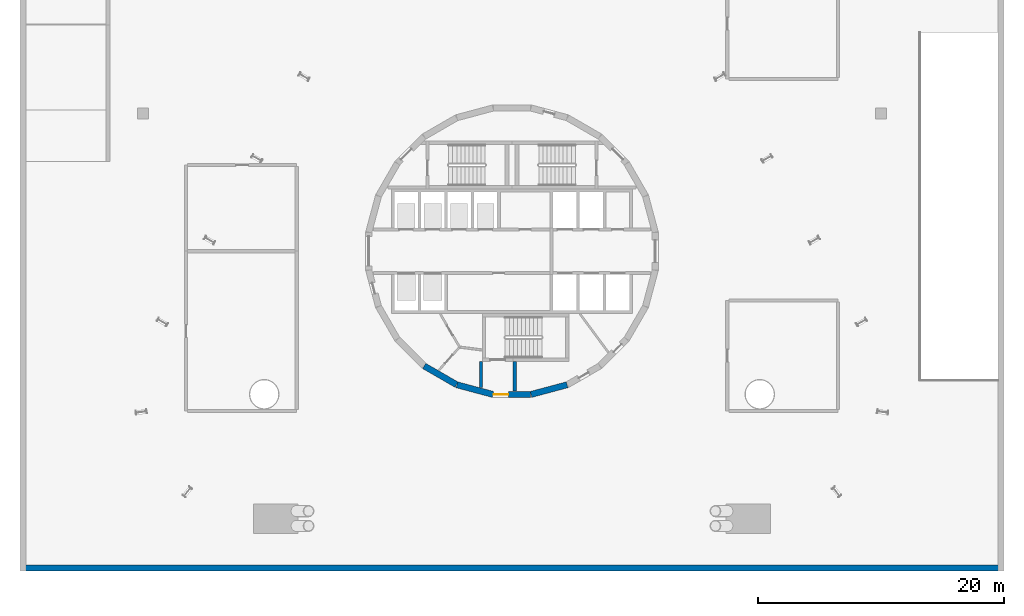
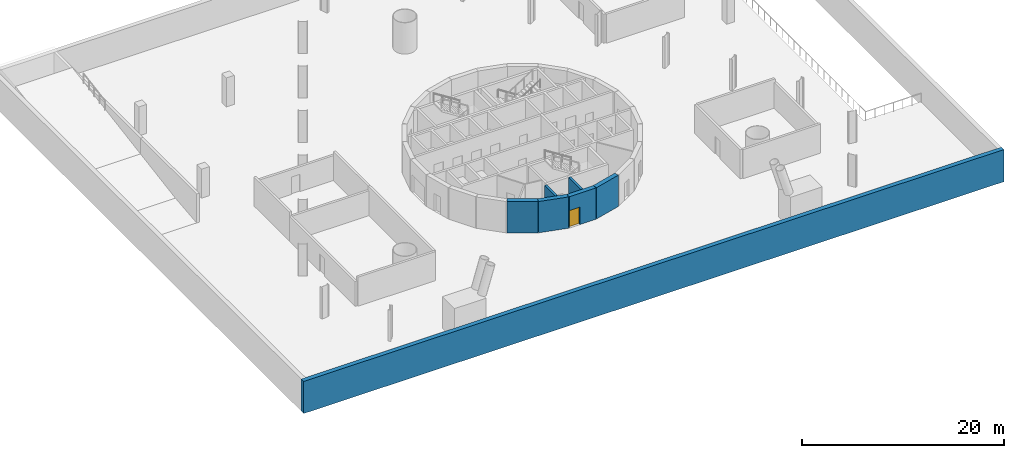
# One storey, part 5 of 10: 7 walls, 1 door, 1 opening.
"""IFC4 building model written with IfcOpenShell, lengths in metres."""

import ifcopenshell
import ifcopenshell.guid

model = None  # the IFC model being written
_history = None  # IfcOwnerHistory: only IFC2X3 demands one
_inside = {}  # id of a spatial element -> (the spatial element, [elements in it])
_under = {}  # id of a project, library or spatial element -> (it, [spatial elements below it])
_declared = {}  # id of a project -> (the project, [libraries it declares])
_typed = {}  # id of a type object -> (the type object, [elements of that type])
_made_of = {}  # id of a material, layer set ... -> (it, [elements and type objects made of it])


def new_model(schema):
    """Start an empty IFC model of exactly this schema.

    Asked for "IFC4X3", IfcOpenShell would pick the latest addendum, in which some entities
    have other attributes; the version numbers below select the first issue.
    IFC2X3 requires an IfcOwnerHistory on every rooted entity: one is made here for all.
    """
    global model, _history
    if schema == "IFC4X3":
        model = ifcopenshell.file(schema_version=(4, 3, 0, 0))
    else:
        model = ifcopenshell.file(schema=schema)
    _inside.clear()
    _under.clear()
    _declared.clear()
    _typed.clear()
    _made_of.clear()
    _history = None
    if model.schema == "IFC2X3":
        org = make("IfcOrganization", Name="unknown")
        user = make(
            "IfcPersonAndOrganization",
            ThePerson=make("IfcPerson", FamilyName="unknown"),
            TheOrganization=org,
        )
        app = make(
            "IfcApplication",
            ApplicationDeveloper=org,
            Version="unknown",
            ApplicationFullName="unknown",
            ApplicationIdentifier="unknown",
        )
        _history = make(
            "IfcOwnerHistory",
            OwningUser=user,
            OwningApplication=app,
            ChangeAction="ADDED",
            CreationDate=0,
        )
    return model


def make(cls, **values):
    """One entity of the class cls with the attributes given. An attribute that is None is left unset."""
    return model.create_entity(
        cls, **{name: value for name, value in values.items() if value is not None}
    )


def rooted(cls, **values):
    """An entity with a GlobalId (a new one), such as an element, a storey or a relation."""
    return make(cls, GlobalId=ifcopenshell.guid.new(), OwnerHistory=_history, **values)


def si_unit(unit_type, name, prefix=None):
    """IfcSIUnit, for example si_unit("LENGTHUNIT", "METRE", prefix="MILLI")."""
    return make("IfcSIUnit", UnitType=unit_type, Prefix=prefix, Name=name)


def assignment(units):
    """IfcUnitAssignment: the units of a project."""
    return None if units is None else make("IfcUnitAssignment", Units=units)


def point(xyz):
    """IfcCartesianPoint."""
    return None if xyz is None else make("IfcCartesianPoint", Coordinates=xyz)


def direction(xyz):
    """IfcDirection."""
    return None if xyz is None else make("IfcDirection", DirectionRatios=xyz)


def frame(location, z_axis=None, x_axis=None):
    """IfcAxis2Placement3D, a coordinate frame: its origin and axes. An axis left out is left unset."""
    return make(
        "IfcAxis2Placement3D",
        Location=point(location),
        Axis=direction(z_axis),
        RefDirection=direction(x_axis),
    )


def frame_2d(location, x_axis=None):
    """IfcAxis2Placement2D, a coordinate frame in the plane: its origin and x axis."""
    return make(
        "IfcAxis2Placement2D", Location=point(location), RefDirection=direction(x_axis)
    )


def origin():
    """The frame at (0, 0, 0) with its axes left unset."""
    return frame((0.0, 0.0, 0.0))


def place(relative_to, where):
    """IfcLocalPlacement: puts the frame where relative to a parent placement (None: the world)."""
    return make(
        "IfcLocalPlacement", PlacementRelTo=relative_to, RelativePlacement=where
    )


def context(
    kind, dimensions, precision=None, world=None, true_north=None, identifier=None
):
    """IfcGeometricRepresentationContext, for example the 3D "Model" context."""
    return make(
        "IfcGeometricRepresentationContext",
        ContextIdentifier=identifier,
        ContextType=kind,
        CoordinateSpaceDimension=dimensions,
        Precision=precision,
        WorldCoordinateSystem=world,
        TrueNorth=true_north,
    )


def subcontext(parent, identifier, kind, view, scale=None):
    """IfcGeometricRepresentationSubContext, for example "Body" below "Model"."""
    return make(
        "IfcGeometricRepresentationSubContext",
        ContextIdentifier=identifier,
        ContextType=kind,
        ParentContext=parent,
        TargetScale=scale,
        TargetView=view,
    )


def project(units=None, contexts=None):
    """IfcProject with its units and contexts."""
    return rooted(
        "IfcProject",
        Name="project",
        RepresentationContexts=contexts,
        UnitsInContext=assignment(units),
    )


def spatial(cls, under=None, at=None, **own):
    """A site, building, storey or space (cls), placed at a placement, below another one or the project."""
    s = rooted(cls, ObjectPlacement=at, **own)
    if under is not None:
        _under.setdefault(under.id(), (under, []))[1].append(s)
    return s


def profile(cls, at=None, kind="AREA", **sizes):
    """A parametric profile (cls). Its sizes go by their IFC names, for example OverallWidth=200.0."""
    return make(cls, ProfileType=kind, Position=at, **sizes)


def rectangle(**sizes):
    """IfcRectangleProfileDef."""
    return profile("IfcRectangleProfileDef", **sizes)


def extrude(swept, where, along, depth):
    """IfcExtrudedAreaSolid: the profile swept, set in the frame where, extruded along a direction by depth."""
    return make(
        "IfcExtrudedAreaSolid",
        SweptArea=swept,
        Position=where,
        ExtrudedDirection=direction(along),
        Depth=depth,
    )


def shape(context_of_items, identifier, shape_type, items):
    """IfcShapeRepresentation: the items that make up one representation, for example the "Body"."""
    return make(
        "IfcShapeRepresentation",
        ContextOfItems=context_of_items,
        RepresentationIdentifier=identifier,
        RepresentationType=shape_type,
        Items=items,
    )


def material(Name=None, Category=None):
    """IfcMaterial."""
    return make("IfcMaterial", Name=Name, Category=Category)


def layer(
    of_material, thickness, ventilated=None, Name=None, Category=None, Priority=None
):
    """IfcMaterialLayer: one layer of a wall or slab, of a material (None: an air gap)."""
    return make(
        "IfcMaterialLayer",
        Material=of_material,
        LayerThickness=thickness,
        IsVentilated=ventilated,
        Name=Name,
        Category=Category,
        Priority=Priority,
    )


def layer_set(layers, Name=None):
    """IfcMaterialLayerSet."""
    return make("IfcMaterialLayerSet", MaterialLayers=layers, LayerSetName=Name)


def made_of(thing, what):
    """Note that an element or type object is made of a material, layer set ...; save() writes the relation."""
    if what is not None:
        _made_of.setdefault(what.id(), (what, []))[1].append(thing)
    return thing


def type_object(cls, material=None, **own):
    """A type object (cls), such as IfcWallType, which elements share."""
    return made_of(rooted(cls, **own), material)


def element(
    cls,
    number,
    at=None,
    inside=None,
    cuts=None,
    type_object=None,
    material=None,
    context=None,
    identifier="Body",
    shape_type=None,
    held_by="IfcProductDefinitionShape",
    body=None,
    shapes=None,
    **own,
):
    """One element of the class cls, such as IfcWall. Its Tag is "e" and its number.

    at: its placement. inside: the storey or other place that contains it. cuts: it is an
    opening in that element (IfcRelVoidsElement). A single representation is given by context,
    identifier, shape_type and body (its items); several are given by shapes. held_by: the class
    of the entity that holds the representations. save() writes the other relations.
    """
    e = rooted(cls, Tag="e%d" % number, ObjectPlacement=at, **own)
    if body is not None:
        shapes = [shape(context, identifier, shape_type, body)]
    if shapes is not None:
        e.Representation = make(held_by, Representations=shapes)
    if inside is not None:
        _inside.setdefault(inside.id(), (inside, []))[1].append(e)
    if cuts is not None:
        rooted(
            "IfcRelVoidsElement", RelatingBuildingElement=cuts, RelatedOpeningElement=e
        )
    if type_object is not None:
        _typed.setdefault(type_object.id(), (type_object, []))[1].append(e)
    return made_of(e, material)


def fill(opening, filler):
    """IfcRelFillsElement: the door or window that sits in an opening."""
    return rooted(
        "IfcRelFillsElement",
        RelatingOpeningElement=opening,
        RelatedBuildingElement=filler,
    )


def aggregate(whole, parts):
    """IfcRelAggregates: a whole, such as a stair, and the parts it consists of."""
    return rooted("IfcRelAggregates", RelatingObject=whole, RelatedObjects=parts)


def save(model, path):
    """Write the relations noted so far, then the file.

    IfcRelAggregates (storeys below a building ...), IfcRelContainedInSpatialStructure (elements
    in a storey), IfcRelDefinesByType, IfcRelAssociatesMaterial and IfcRelDeclares: one each for
    every whole, place, type object, material and project.
    """
    for whole, parts in _under.values():
        aggregate(whole, parts)
    for where, things in _inside.values():
        rooted(
            "IfcRelContainedInSpatialStructure",
            RelatedElements=things,
            RelatingStructure=where,
        )
    for kind, things in _typed.values():
        rooted("IfcRelDefinesByType", RelatedObjects=things, RelatingType=kind)
    for what, things in _made_of.values():
        rooted("IfcRelAssociatesMaterial", RelatedObjects=things, RelatingMaterial=what)
    for by, libraries in _declared.values():
        rooted("IfcRelDeclares", RelatingContext=by, RelatedDefinitions=libraries)
    model.write(path)


model = new_model("IFC4")

# Units and contexts
model_context = context("Model", 3, precision=1e-05, world=origin(), true_north=direction((0.0, 1.0)))
body_context = subcontext(model_context, "Body", "Model", "MODEL_VIEW")
ifc_project = project(units=[si_unit("LENGTHUNIT", "METRE"), si_unit("AREAUNIT", "SQUARE_METRE"), si_unit("VOLUMEUNIT", "CUBIC_METRE"), si_unit("PLANEANGLEUNIT", "RADIAN"), si_unit("MASSUNIT", "GRAM", prefix="KILO")], contexts=[model_context])

# Site, building, storey
site_placement = place(None, origin())
site = spatial("IfcSite", under=ifc_project, at=site_placement, CompositionType="ELEMENT")
building_placement = place(site_placement, origin())
building = spatial("IfcBuilding", under=site, at=building_placement, Name="Spindle Arch Residences", CompositionType="ELEMENT")
storey_placement = place(building_placement, frame((0.0, 0.0, -4.199951171875)))
storey = spatial("IfcBuildingStorey", under=building, at=storey_placement, Name="B1", CompositionType="ELEMENT", Elevation=-4.199951171875)

# Walls
ifc_material_1 = material(Name="Concrete C40/50", Category="concrete")
ifc_layer_1 = layer(ifc_material_1, 0.5)
ifc_layer_set_1 = layer_set([ifc_layer_1], Name="Basement retaining wall 500")
wall_type_1 = type_object("IfcWallType", Name="Basement retaining wall 500", PredefinedType="SOLIDWALL", material=ifc_layer_set_1)
wall_1_placement = place(storey_placement, frame((-40.0, -25.75, -0.380126953125), z_axis=(0.0, 0.0, 1.0), x_axis=(1.0, 0.0, 0.0)))
element("IfcWall", 1, at=wall_1_placement, inside=storey, type_object=wall_type_1, Name="Retaining wall 1", PredefinedType="SOLIDWALL", context=body_context, shape_type="SweptSolid", body=[
    extrude(rectangle(XDim=80.0, YDim=0.5, at=frame_2d((40.0, 0.0))), origin(), (0.0, 0.0, 1.0), 3.880126953125),
])
ifc_material_2 = material(Name="Concrete C50/60", Category="concrete")
ifc_layer_2 = layer(ifc_material_2, 0.5)
ifc_layer_set_2 = layer_set([ifc_layer_2], Name="Core outline wall 500")
wall_type_2 = type_object("IfcWallType", Name="Core outline wall 500", PredefinedType="SHEAR", material=ifc_layer_set_2)
for number, where, z_axis, x_axis, name in (
    (2, (1.5498046875, -11.642822265625, 0.0), (0.0, 0.0, 1.0), (0.965948410781, 0.258734743916, 0.0), "Core outline wall 1"),
    (3, (-7.13671875, -9.32861328125, 0.0), (0.0, 0.0, 1.0), (0.865975092491, -0.500087131594, 0.0), "Core outline wall 22"),
    (4, (-4.479248046875, -10.858154296875, 0.0), (0.0, 0.0, 1.0), (0.965948410781, -0.258734743916, 0.0), "Core outline wall 23"),
):
    element("IfcWall", number, at=place(storey_placement, frame(where, z_axis=z_axis, x_axis=x_axis)), inside=storey, type_object=wall_type_2, Name=name, PredefinedType="SHEAR", context=body_context, shape_type="SweptSolid", body=[
        extrude(rectangle(XDim=3.03271484375, YDim=0.5, at=frame_2d((1.516357421875, 0.0))), origin(), (0.0, 0.0, 1.0), 3.780029296875),
    ])

# Wall, opening, door
wall_2_placement = place(storey_placement, frame((-1.516357421875, -11.647216796875, 0.0), z_axis=(0.0, 0.0, 1.0), x_axis=(1.0, 0.0, 0.0)))
wall_2 = element("IfcWall", 5, at=wall_2_placement, inside=storey, type_object=wall_type_2, Name="Core outline wall 24", PredefinedType="SHEAR", context=body_context, shape_type="SweptSolid", body=[
    extrude(rectangle(XDim=3.03271484375, YDim=0.5, at=frame_2d((1.516357421875, 0.0))), origin(), (0.0, 0.0, 1.0), 3.780029296875),
])
opening_placement = place(wall_2_placement, frame((0.016357421875, 0.0, 0.0)))
opening = element("IfcOpeningElement", 6, at=opening_placement, cuts=wall_2, Name="Opening B1-AD03", PredefinedType="OPENING", context=body_context, shape_type="SweptSolid", body=[
    extrude(rectangle(XDim=1.199951171875, YDim=2.10009765625, at=frame_2d((0.60009765625, 1.050048828125))), frame((0.0, 0.260009765625, 0.0), z_axis=(0.0, -1.0, 0.0), x_axis=(1.0, 0.0, 0.0)), (0.0, 0.0, 1.0), 0.52001953125),
])
ifc_material_3 = material(Name="Steel, fire-resisting door", Category="steel")
door_type = type_object("IfcDoorType", Name="Stair airlock door 1200x2100", OperationType="SINGLE_SWING_LEFT", PredefinedType="DOOR", material=ifc_material_3)
door_placement = place(opening_placement, origin())
door = element("IfcDoor", 7, at=door_placement, inside=storey, type_object=door_type, Name="Stair airlock door B1-AD03", OperationType="SINGLE_SWING_RIGHT", OverallHeight=2.10009765625, OverallWidth=1.199951171875, PredefinedType="DOOR", context=body_context, shape_type="SweptSolid", body=[
    extrude(rectangle(XDim=1.199951171875, YDim=2.10009765625, at=frame_2d((0.60009765625, 1.050048828125))), frame((0.0, 0.02490234375, 0.0), z_axis=(0.0, -1.0, 0.0), x_axis=(1.0, 0.0, 0.0)), (0.0, 0.0, 1.0), 0.050048828125),
])
fill(opening, door)

# Walls
ifc_material_4 = material(Name="Concrete C40/50", Category="concrete")
ifc_layer_3 = layer(ifc_material_4, 0.25)
ifc_layer_set_3 = layer_set([ifc_layer_3], Name="Stair airlock wall 250")
wall_type_3 = type_object("IfcWallType", Name="Stair airlock wall 250", PredefinedType="SHEAR", material=ifc_layer_set_3)
wall_3_placement = place(storey_placement, frame((-2.52490234375, -8.969970703125, 0.0), z_axis=(0.0, 0.0, 1.0), x_axis=(0.0, -1.0, 0.0)))
element("IfcWall", 8, at=wall_3_placement, inside=storey, type_object=wall_type_3, Name="Stair ST-3 airlock wall W", PredefinedType="SHEAR", context=body_context, shape_type="SweptSolid", body=[
    extrude(rectangle(XDim=2.110107421875, YDim=0.25, at=frame_2d((1.05517578125, 0.0))), origin(), (0.0, 0.0, 1.0), 3.780029296875),
])
wall_4_placement = place(storey_placement, frame((0.22509765625, -8.969970703125, 0.0), z_axis=(0.0, 0.0, 1.0), x_axis=(0.0, -1.0, 0.0)))
element("IfcWall", 9, at=wall_4_placement, inside=storey, type_object=wall_type_3, Name="Stair ST-3 airlock wall E", PredefinedType="SHEAR", context=body_context, shape_type="SweptSolid", body=[
    extrude(rectangle(XDim=2.409912109375, YDim=0.25, at=frame_2d((1.205078125, 0.0))), origin(), (0.0, 0.0, 1.0), 3.780029296875),
])

save(model, "model.ifc")
